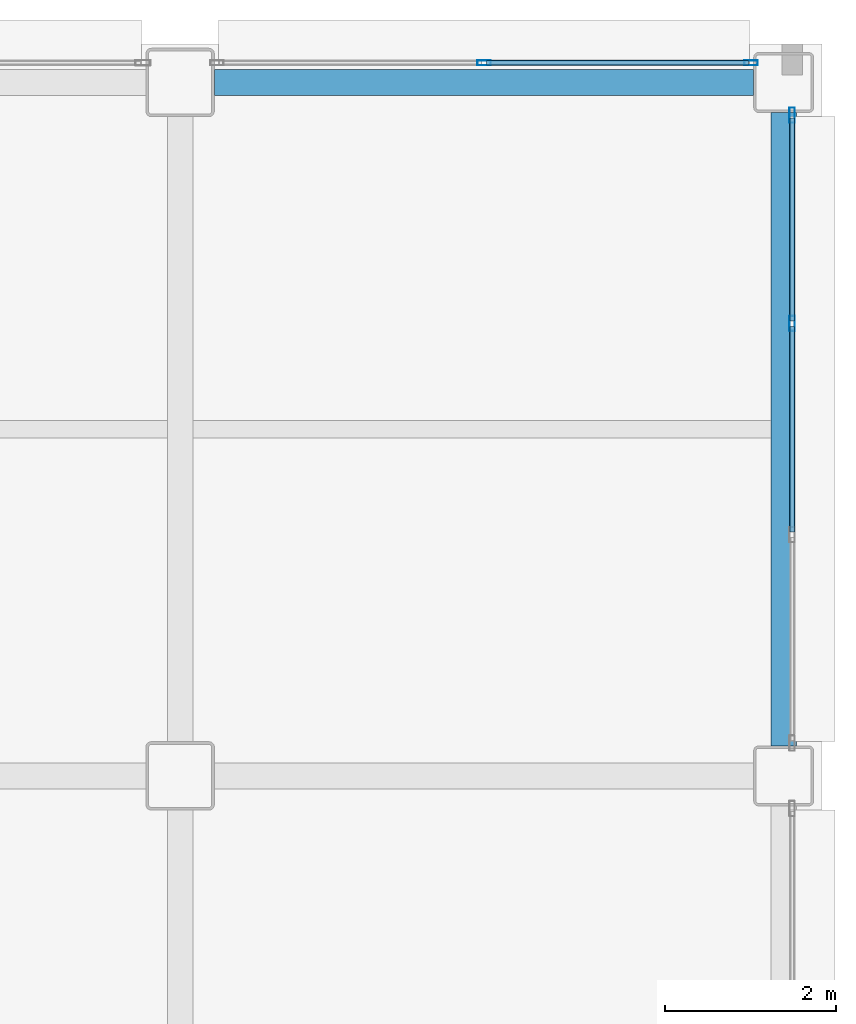
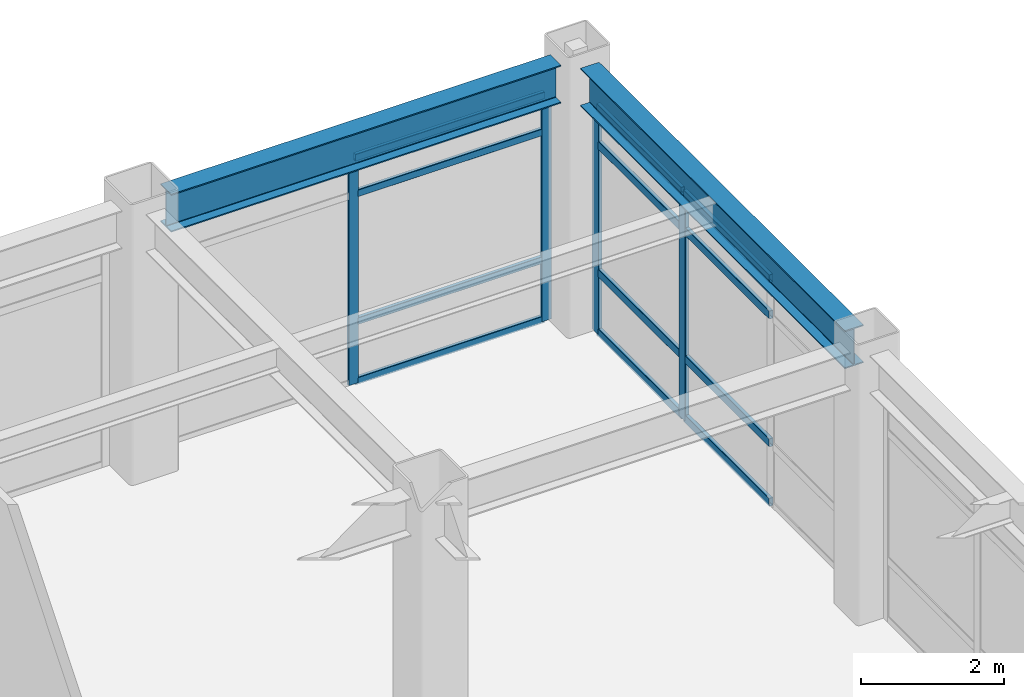
# One storey, part 113 of 154: 16 members, 2 beams, 2 elements without a shape of their own.
"""IFC4 building model written with IfcOpenShell, lengths in metres."""

from ifc_helpers import new_model, si_unit, direction, frame, origin, origin_2d, place, context, subcontext, project, spatial, hollow_rectangle, i_section, extrude, material, layer, layer_set, material_profile, profile_set, type_object, element, aggregate, save


model = new_model("IFC4")

# Units and contexts
model_context = context("Model", 3, precision=1e-05, world=origin(), true_north=direction((0.0, 1.0)))
body_context = subcontext(model_context, "Body", "Model", "MODEL_VIEW")
ifc_project = project(units=[si_unit("LENGTHUNIT", "METRE"), si_unit("AREAUNIT", "SQUARE_METRE"), si_unit("VOLUMEUNIT", "CUBIC_METRE"), si_unit("PLANEANGLEUNIT", "RADIAN"), si_unit("MASSUNIT", "GRAM", prefix="KILO")], contexts=[model_context])

# Site, building, storey
site_placement = place(None, origin())
site = spatial("IfcSite", under=ifc_project, at=site_placement, CompositionType="ELEMENT")
building_placement = place(site_placement, origin())
building = spatial("IfcBuilding", under=site, at=building_placement, Name="Kazehara Bluff Congress Hotel", CompositionType="ELEMENT")
storey_placement = place(building_placement, frame((0.0, 0.0, 10.199951171875)))
storey = spatial("IfcBuildingStorey", under=building, at=storey_placement, Name="L02", CompositionType="ELEMENT", Elevation=10.199951171875)

# Curtain wall, members
ifc_material_1 = material(Name="Anodised aluminium", Category="aluminium")
ifc_layer_1 = layer(ifc_material_1, 0.159912109375)
ifc_layer_set_1 = layer_set([ifc_layer_1], Name="Anodised aluminium")
curtain_wall_type_1 = type_object("IfcCurtainWallType", Name="TP-CW-112", PredefinedType="NOTDEFINED", material=ifc_layer_set_1)
curtain_wall_1_placement = place(storey_placement, origin())
curtain_wall_1 = element("IfcCurtainWall", 1, at=curtain_wall_1_placement, inside=storey, type_object=curtain_wall_type_1, Name="L02 curtain wall CW-112 CW-ENC-V5-L02-16405-11378", PredefinedType="NOTDEFINED")
ifc_material_2 = material(Name="Anodised aluminium", Category="aluminium")
ifc_material_profile_1 = material_profile(ifc_material_2, hollow_rectangle(XDim=0.06005859375, YDim=0.159912109375, WallThickness=0.00390625, InnerFilletRadius=0.00390625, OuterFilletRadius=0.008056640625, at=origin_2d()))
ifc_profile_set_1 = profile_set([ifc_material_profile_1], Name="Anodised aluminium")
member_type_1 = type_object("IfcMemberType", Name="TP-CWM-01", PredefinedType="MULLION", material=ifc_profile_set_1)
member_1_placement = place(storey_placement, frame((164.050048828125, 113.780029296875, 0.0), z_axis=(0.0, 0.0, 1.0), x_axis=(0.0, 1.0, 0.0)))
member_1 = element("IfcMember", 2, at=member_1_placement, type_object=member_type_1, Name="CW-112 mullion 2", PredefinedType="MULLION", context=body_context, shape_type="SweptSolid", body=[
    extrude(hollow_rectangle(XDim=0.06005859375, YDim=0.159912109375, WallThickness=0.00390625, InnerFilletRadius=0.00390625, OuterFilletRadius=0.008056640625, at=origin_2d()), origin(), (0.0, 0.0, 1.0), 3.885009765625),
])
member_2_placement = place(storey_placement, frame((167.169921875, 113.780029296875, 0.0), z_axis=(0.0, 0.0, 1.0), x_axis=(0.0, 1.0, 0.0)))
member_2 = element("IfcMember", 3, at=member_2_placement, type_object=member_type_1, Name="CW-112 mullion 3", PredefinedType="MULLION", context=body_context, shape_type="SweptSolid", body=[
    extrude(hollow_rectangle(XDim=0.06005859375, YDim=0.159912109375, WallThickness=0.00390625, InnerFilletRadius=0.00390625, OuterFilletRadius=0.008056640625, at=origin_2d()), origin(), (0.0, 0.0, 1.0), 3.885009765625),
])

ifc_material_3 = material(Name="Anodised aluminium", Category="aluminium")
ifc_layer_2 = layer(ifc_material_3, 0.159912109375)
ifc_layer_set_2 = layer_set([ifc_layer_2], Name="Anodised aluminium")
curtain_wall_type_2 = type_object("IfcCurtainWallType", Name="TP-CW-34", PredefinedType="NOTDEFINED", material=ifc_layer_set_2)
curtain_wall_2_placement = place(storey_placement, origin())
curtain_wall_2 = element("IfcCurtainWall", 4, at=curtain_wall_2_placement, inside=storey, type_object=curtain_wall_type_2, Name="L02 curtain wall CW-34 CW-ENC-V5-L02-16765-10950", PredefinedType="NOTDEFINED")
ifc_material_4 = material(Name="Anodised aluminium", Category="aluminium")
ifc_material_profile_2 = material_profile(ifc_material_4, hollow_rectangle(XDim=0.06494140625, YDim=0.179931640625, WallThickness=0.00390625, InnerFilletRadius=0.00390625, OuterFilletRadius=0.008056640625, at=origin_2d()))
ifc_profile_set_2 = profile_set([ifc_material_profile_2], Name="Anodised aluminium")
member_type_2 = type_object("IfcMemberType", Name="TP-CWM-02", PredefinedType="MULLION", material=ifc_profile_set_2)
member_3_placement = place(storey_placement, frame((167.64990234375, 113.16748046875, 0.0), z_axis=(0.0, 0.0, 1.0), x_axis=(1.0, 0.0, 0.0)))
member_3 = element("IfcMember", 5, at=member_3_placement, type_object=member_type_2, Name="CW-34 mullion 1", PredefinedType="MULLION", context=body_context, shape_type="SweptSolid", body=[
    extrude(hollow_rectangle(XDim=0.06494140625, YDim=0.179931640625, WallThickness=0.00390625, InnerFilletRadius=0.00390625, OuterFilletRadius=0.008056640625, at=origin_2d()), origin(), (0.0, 0.0, 1.0), 3.885009765625),
])
member_4_placement = place(storey_placement, frame((167.64990234375, 110.7333984375, 0.0), z_axis=(0.0, 0.0, 1.0), x_axis=(1.0, 0.0, 0.0)))
member_4 = element("IfcMember", 6, at=member_4_placement, type_object=member_type_2, Name="CW-34 mullion 2", PredefinedType="MULLION", context=body_context, shape_type="SweptSolid", body=[
    extrude(hollow_rectangle(XDim=0.06494140625, YDim=0.179931640625, WallThickness=0.00390625, InnerFilletRadius=0.00390625, OuterFilletRadius=0.008056640625, at=origin_2d()), origin(), (0.0, 0.0, 1.0), 3.885009765625),
])

# Member
ifc_material_5 = material(Name="Anodised aluminium", Category="aluminium")
ifc_material_profile_3 = material_profile(ifc_material_5, hollow_rectangle(XDim=0.06005859375, YDim=0.1201171875, WallThickness=0.00390625, InnerFilletRadius=0.00390625, OuterFilletRadius=0.008056640625, at=origin_2d()))
ifc_profile_set_3 = profile_set([ifc_material_profile_3], Name="Anodised aluminium")
member_type_3 = type_object("IfcMemberType", Name="TP-CWT-01", PredefinedType="USERDEFINED", material=ifc_profile_set_3)
member_5_placement = place(storey_placement, frame((164.080078125, 113.780029296875, 0.030029296875), z_axis=(1.0, 0.0, 0.0), x_axis=(0.0, 1.0, 0.0)))
member_5 = element("IfcMember", 7, at=member_5_placement, type_object=member_type_3, Name="CW-112 transom 2.1", ObjectType="TRANSOM", PredefinedType="USERDEFINED", context=body_context, shape_type="SweptSolid", body=[
    extrude(hollow_rectangle(XDim=0.06005859375, YDim=0.1201171875, WallThickness=0.00390625, InnerFilletRadius=0.00390625, OuterFilletRadius=0.008056640625, at=origin_2d()), origin(), (0.0, 0.0, 1.0), 3.059814453125),
])

member_6_placement = place(storey_placement, frame((164.080078125, 113.780029296875, 1.050048828125), z_axis=(1.0, 0.0, 0.0), x_axis=(0.0, 1.0, 0.0)))
member_6 = element("IfcMember", 8, at=member_6_placement, type_object=member_type_3, Name="CW-112 transom 2.2", ObjectType="TRANSOM", PredefinedType="USERDEFINED", context=body_context, shape_type="SweptSolid", body=[
    extrude(hollow_rectangle(XDim=0.06005859375, YDim=0.1201171875, WallThickness=0.00390625, InnerFilletRadius=0.00390625, OuterFilletRadius=0.008056640625, at=origin_2d()), origin(), (0.0, 0.0, 1.0), 3.059814453125),
])

member_7_placement = place(storey_placement, frame((164.080078125, 113.780029296875, 3.235107421875), z_axis=(1.0, 0.0, 0.0), x_axis=(0.0, 1.0, 0.0)))
member_7 = element("IfcMember", 9, at=member_7_placement, type_object=member_type_3, Name="CW-112 transom 2.3", ObjectType="TRANSOM", PredefinedType="USERDEFINED", context=body_context, shape_type="SweptSolid", body=[
    extrude(hollow_rectangle(XDim=0.06005859375, YDim=0.1201171875, WallThickness=0.00390625, InnerFilletRadius=0.00390625, OuterFilletRadius=0.008056640625, at=origin_2d()), origin(), (0.0, 0.0, 1.0), 3.059814453125),
])

member_8_placement = place(storey_placement, frame((164.080078125, 113.780029296875, 3.85498046875), z_axis=(1.0, 0.0, 0.0), x_axis=(0.0, 1.0, 0.0)))
member_8 = element("IfcMember", 10, at=member_8_placement, type_object=member_type_3, Name="CW-112 transom 2.4", ObjectType="TRANSOM", PredefinedType="USERDEFINED", context=body_context, shape_type="SweptSolid", body=[
    extrude(hollow_rectangle(XDim=0.06005859375, YDim=0.1201171875, WallThickness=0.00390625, InnerFilletRadius=0.00390625, OuterFilletRadius=0.008056640625, at=origin_2d()), origin(), (0.0, 0.0, 1.0), 3.059814453125),
])

aggregate(curtain_wall_1, [member_1, member_2, member_5, member_6, member_7, member_8])

ifc_material_6 = material(Name="Anodised aluminium", Category="aluminium")
ifc_material_profile_4 = material_profile(ifc_material_6, hollow_rectangle(XDim=0.06494140625, YDim=0.139892578125, WallThickness=0.00390625, InnerFilletRadius=0.00390625, OuterFilletRadius=0.008056640625, at=origin_2d()))
ifc_profile_set_4 = profile_set([ifc_material_profile_4], Name="Anodised aluminium")
member_type_4 = type_object("IfcMemberType", Name="TP-CWT-02", PredefinedType="USERDEFINED", material=ifc_profile_set_4)
member_9_placement = place(storey_placement, frame((167.64990234375, 113.135009765625, 0.032470703125), z_axis=(0.0, -1.0, 0.0), x_axis=(1.0, 0.0, 0.0)))
member_9 = element("IfcMember", 11, at=member_9_placement, type_object=member_type_4, Name="CW-34 transom 1.1", ObjectType="TRANSOM", PredefinedType="USERDEFINED", context=body_context, shape_type="SweptSolid", body=[
    extrude(hollow_rectangle(XDim=0.06494140625, YDim=0.139892578125, WallThickness=0.00390625, InnerFilletRadius=0.00390625, OuterFilletRadius=0.008056640625, at=origin_2d()), origin(), (0.0, 0.0, 1.0), 2.369140625),
])

member_10_placement = place(storey_placement, frame((167.64990234375, 113.135009765625, 1.050048828125), z_axis=(0.0, -1.0, 0.0), x_axis=(1.0, 0.0, 0.0)))
member_10 = element("IfcMember", 12, at=member_10_placement, type_object=member_type_4, Name="CW-34 transom 1.2", ObjectType="TRANSOM", PredefinedType="USERDEFINED", context=body_context, shape_type="SweptSolid", body=[
    extrude(hollow_rectangle(XDim=0.06494140625, YDim=0.139892578125, WallThickness=0.00390625, InnerFilletRadius=0.00390625, OuterFilletRadius=0.008056640625, at=origin_2d()), origin(), (0.0, 0.0, 1.0), 2.369140625),
])

member_11_placement = place(storey_placement, frame((167.64990234375, 113.135009765625, 3.235107421875), z_axis=(0.0, -1.0, 0.0), x_axis=(1.0, 0.0, 0.0)))
member_11 = element("IfcMember", 13, at=member_11_placement, type_object=member_type_4, Name="CW-34 transom 1.3", ObjectType="TRANSOM", PredefinedType="USERDEFINED", context=body_context, shape_type="SweptSolid", body=[
    extrude(hollow_rectangle(XDim=0.06494140625, YDim=0.139892578125, WallThickness=0.00390625, InnerFilletRadius=0.00390625, OuterFilletRadius=0.008056640625, at=origin_2d()), origin(), (0.0, 0.0, 1.0), 2.369140625),
])

member_12_placement = place(storey_placement, frame((167.64990234375, 113.135009765625, 3.8525390625), z_axis=(0.0, -1.0, 0.0), x_axis=(1.0, 0.0, 0.0)))
member_12 = element("IfcMember", 14, at=member_12_placement, type_object=member_type_4, Name="CW-34 transom 1.4", ObjectType="TRANSOM", PredefinedType="USERDEFINED", context=body_context, shape_type="SweptSolid", body=[
    extrude(hollow_rectangle(XDim=0.06494140625, YDim=0.139892578125, WallThickness=0.00390625, InnerFilletRadius=0.00390625, OuterFilletRadius=0.008056640625, at=origin_2d()), origin(), (0.0, 0.0, 1.0), 2.369140625),
])

member_13_placement = place(storey_placement, frame((167.64990234375, 110.700927734375, 0.032470703125), z_axis=(0.0, -1.0, 0.0), x_axis=(1.0, 0.0, 0.0)))
member_13 = element("IfcMember", 15, at=member_13_placement, type_object=member_type_4, Name="CW-34 transom 2.1", ObjectType="TRANSOM", PredefinedType="USERDEFINED", context=body_context, shape_type="SweptSolid", body=[
    extrude(hollow_rectangle(XDim=0.06494140625, YDim=0.139892578125, WallThickness=0.00390625, InnerFilletRadius=0.00390625, OuterFilletRadius=0.008056640625, at=origin_2d()), origin(), (0.0, 0.0, 1.0), 2.40185546875),
])

member_14_placement = place(storey_placement, frame((167.64990234375, 110.700927734375, 1.050048828125), z_axis=(0.0, -1.0, 0.0), x_axis=(1.0, 0.0, 0.0)))
member_14 = element("IfcMember", 16, at=member_14_placement, type_object=member_type_4, Name="CW-34 transom 2.2", ObjectType="TRANSOM", PredefinedType="USERDEFINED", context=body_context, shape_type="SweptSolid", body=[
    extrude(hollow_rectangle(XDim=0.06494140625, YDim=0.139892578125, WallThickness=0.00390625, InnerFilletRadius=0.00390625, OuterFilletRadius=0.008056640625, at=origin_2d()), origin(), (0.0, 0.0, 1.0), 2.40185546875),
])

member_15_placement = place(storey_placement, frame((167.64990234375, 110.700927734375, 3.235107421875), z_axis=(0.0, -1.0, 0.0), x_axis=(1.0, 0.0, 0.0)))
member_15 = element("IfcMember", 17, at=member_15_placement, type_object=member_type_4, Name="CW-34 transom 2.3", ObjectType="TRANSOM", PredefinedType="USERDEFINED", context=body_context, shape_type="SweptSolid", body=[
    extrude(hollow_rectangle(XDim=0.06494140625, YDim=0.139892578125, WallThickness=0.00390625, InnerFilletRadius=0.00390625, OuterFilletRadius=0.008056640625, at=origin_2d()), origin(), (0.0, 0.0, 1.0), 2.40185546875),
])

member_16_placement = place(storey_placement, frame((167.64990234375, 110.700927734375, 3.8525390625), z_axis=(0.0, -1.0, 0.0), x_axis=(1.0, 0.0, 0.0)))
member_16 = element("IfcMember", 18, at=member_16_placement, type_object=member_type_4, Name="CW-34 transom 2.4", ObjectType="TRANSOM", PredefinedType="USERDEFINED", context=body_context, shape_type="SweptSolid", body=[
    extrude(hollow_rectangle(XDim=0.06494140625, YDim=0.139892578125, WallThickness=0.00390625, InnerFilletRadius=0.00390625, OuterFilletRadius=0.008056640625, at=origin_2d()), origin(), (0.0, 0.0, 1.0), 2.40185546875),
])

aggregate(curtain_wall_2, [member_3, member_4, member_9, member_10, member_11, member_12, member_13, member_14, member_15, member_16])

# Beams
ifc_material_7 = material(Name="Steel SN490B", Category="steel")
ifc_material_profile_5 = material_profile(ifc_material_7, i_section(OverallWidth=0.300048828125, OverallDepth=0.64990234375, WebThickness=0.011962890625, FlangeThickness=0.02001953125, FilletRadius=0.012939453125, at=origin_2d()))
ifc_profile_set_5 = profile_set([ifc_material_profile_5], Name="Steel SN490B")
beam_type = type_object("IfcBeamType", Name="TP-G-03", PredefinedType="BEAM", material=ifc_profile_set_5)
beam_1_placement = place(storey_placement, frame((167.550048828125, 105.800048828125, 4.235107421875), z_axis=(0.0, 1.0, 0.0), x_axis=(-1.0, 0.0, 0.0)))
element("IfcBeam", 19, at=beam_1_placement, inside=storey, type_object=beam_type, Name="L02 girder G-03 179", PredefinedType="BEAM", context=body_context, shape_type="SweptSolid", body=[
    extrude(i_section(OverallWidth=0.300048828125, OverallDepth=0.64990234375, WebThickness=0.011962890625, FlangeThickness=0.02001953125, FilletRadius=0.012939453125, at=origin_2d()), origin(), (0.0, 0.0, 1.0), 7.39990234375),
])
beam_2_placement = place(storey_placement, frame((160.89990234375, 113.550048828125, 4.235107421875), z_axis=(1.0, 0.0, 0.0), x_axis=(0.0, 1.0, 0.0)))
element("IfcBeam", 20, at=beam_2_placement, inside=storey, type_object=beam_type, Name="L02 girder G-03 227", PredefinedType="BEAM", context=body_context, shape_type="SweptSolid", body=[
    extrude(i_section(OverallWidth=0.300048828125, OverallDepth=0.64990234375, WebThickness=0.011962890625, FlangeThickness=0.02001953125, FilletRadius=0.012939453125, at=origin_2d()), origin(), (0.0, 0.0, 1.0), 6.300048828125),
])

save(model, "model.ifc")
